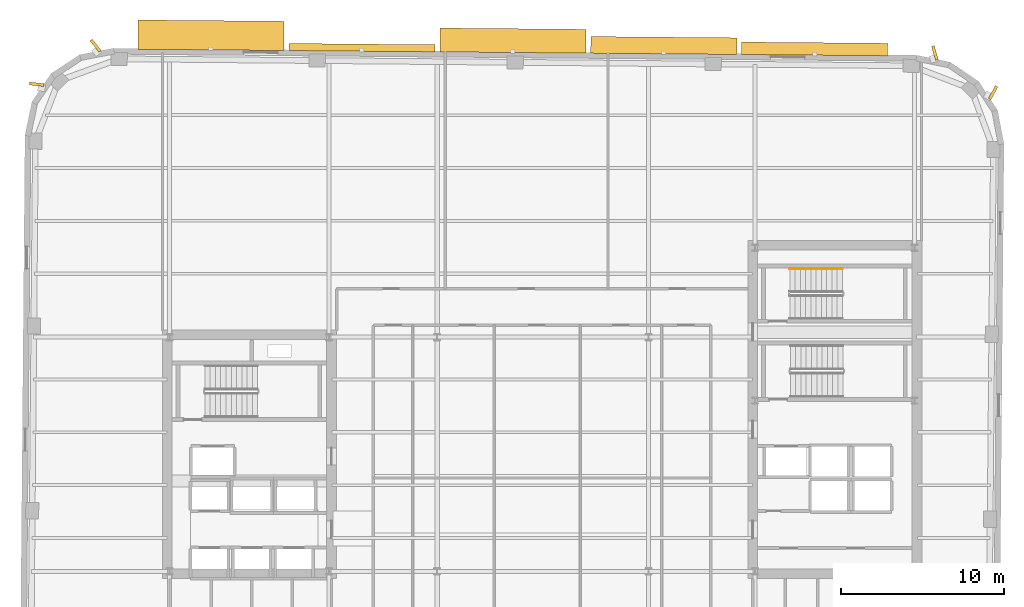
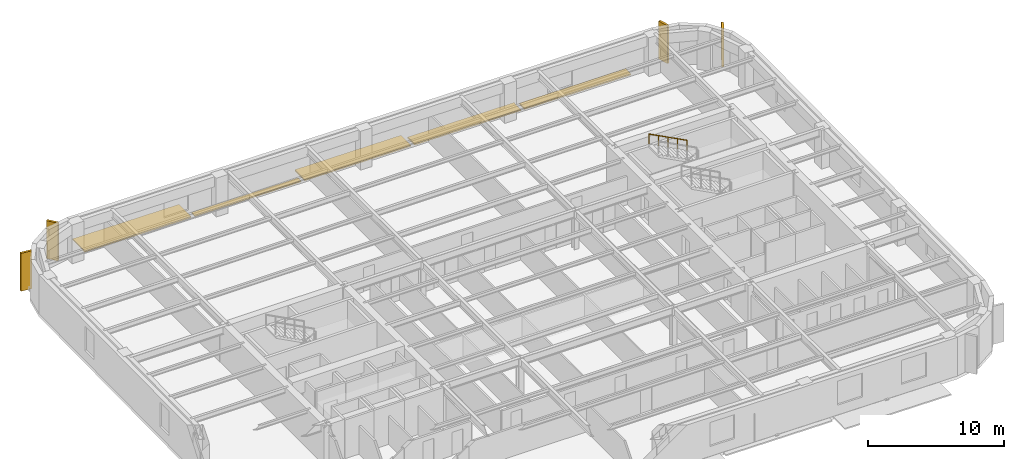
# One storey, part 12 of 12: 9 shading devices, 1 railing.
"""IFC4 building model written with IfcOpenShell, lengths in metres."""

import ifcopenshell
import ifcopenshell.guid

model = None  # the IFC model being written
_history = None  # IfcOwnerHistory: only IFC2X3 demands one
_inside = {}  # id of a spatial element -> (the spatial element, [elements in it])
_under = {}  # id of a project, library or spatial element -> (it, [spatial elements below it])
_declared = {}  # id of a project -> (the project, [libraries it declares])
_typed = {}  # id of a type object -> (the type object, [elements of that type])
_made_of = {}  # id of a material, layer set ... -> (it, [elements and type objects made of it])


def new_model(schema):
    """Start an empty IFC model of exactly this schema.

    Asked for "IFC4X3", IfcOpenShell would pick the latest addendum, in which some entities
    have other attributes; the version numbers below select the first issue.
    IFC2X3 requires an IfcOwnerHistory on every rooted entity: one is made here for all.
    """
    global model, _history
    if schema == "IFC4X3":
        model = ifcopenshell.file(schema_version=(4, 3, 0, 0))
    else:
        model = ifcopenshell.file(schema=schema)
    _inside.clear()
    _under.clear()
    _declared.clear()
    _typed.clear()
    _made_of.clear()
    _history = None
    if model.schema == "IFC2X3":
        org = make("IfcOrganization", Name="unknown")
        user = make(
            "IfcPersonAndOrganization",
            ThePerson=make("IfcPerson", FamilyName="unknown"),
            TheOrganization=org,
        )
        app = make(
            "IfcApplication",
            ApplicationDeveloper=org,
            Version="unknown",
            ApplicationFullName="unknown",
            ApplicationIdentifier="unknown",
        )
        _history = make(
            "IfcOwnerHistory",
            OwningUser=user,
            OwningApplication=app,
            ChangeAction="ADDED",
            CreationDate=0,
        )
    return model


def make(cls, **values):
    """One entity of the class cls with the attributes given. An attribute that is None is left unset."""
    return model.create_entity(
        cls, **{name: value for name, value in values.items() if value is not None}
    )


def rooted(cls, **values):
    """An entity with a GlobalId (a new one), such as an element, a storey or a relation."""
    return make(cls, GlobalId=ifcopenshell.guid.new(), OwnerHistory=_history, **values)


def si_unit(unit_type, name, prefix=None):
    """IfcSIUnit, for example si_unit("LENGTHUNIT", "METRE", prefix="MILLI")."""
    return make("IfcSIUnit", UnitType=unit_type, Prefix=prefix, Name=name)


def assignment(units):
    """IfcUnitAssignment: the units of a project."""
    return None if units is None else make("IfcUnitAssignment", Units=units)


def point(xyz):
    """IfcCartesianPoint."""
    return None if xyz is None else make("IfcCartesianPoint", Coordinates=xyz)


def direction(xyz):
    """IfcDirection."""
    return None if xyz is None else make("IfcDirection", DirectionRatios=xyz)


def frame(location, z_axis=None, x_axis=None):
    """IfcAxis2Placement3D, a coordinate frame: its origin and axes. An axis left out is left unset."""
    return make(
        "IfcAxis2Placement3D",
        Location=point(location),
        Axis=direction(z_axis),
        RefDirection=direction(x_axis),
    )


def frame_2d(location, x_axis=None):
    """IfcAxis2Placement2D, a coordinate frame in the plane: its origin and x axis."""
    return make(
        "IfcAxis2Placement2D", Location=point(location), RefDirection=direction(x_axis)
    )


def origin():
    """The frame at (0, 0, 0) with its axes left unset."""
    return frame((0.0, 0.0, 0.0))


def origin_2d():
    """The frame at (0, 0) in the plane with its x axis left unset."""
    return frame_2d((0.0, 0.0))


def place(relative_to, where):
    """IfcLocalPlacement: puts the frame where relative to a parent placement (None: the world)."""
    return make(
        "IfcLocalPlacement", PlacementRelTo=relative_to, RelativePlacement=where
    )


def context(
    kind, dimensions, precision=None, world=None, true_north=None, identifier=None
):
    """IfcGeometricRepresentationContext, for example the 3D "Model" context."""
    return make(
        "IfcGeometricRepresentationContext",
        ContextIdentifier=identifier,
        ContextType=kind,
        CoordinateSpaceDimension=dimensions,
        Precision=precision,
        WorldCoordinateSystem=world,
        TrueNorth=true_north,
    )


def subcontext(parent, identifier, kind, view, scale=None):
    """IfcGeometricRepresentationSubContext, for example "Body" below "Model"."""
    return make(
        "IfcGeometricRepresentationSubContext",
        ContextIdentifier=identifier,
        ContextType=kind,
        ParentContext=parent,
        TargetScale=scale,
        TargetView=view,
    )


def project(units=None, contexts=None):
    """IfcProject with its units and contexts."""
    return rooted(
        "IfcProject",
        Name="project",
        RepresentationContexts=contexts,
        UnitsInContext=assignment(units),
    )


def spatial(cls, under=None, at=None, **own):
    """A site, building, storey or space (cls), placed at a placement, below another one or the project."""
    s = rooted(cls, ObjectPlacement=at, **own)
    if under is not None:
        _under.setdefault(under.id(), (under, []))[1].append(s)
    return s


def profile(cls, at=None, kind="AREA", **sizes):
    """A parametric profile (cls). Its sizes go by their IFC names, for example OverallWidth=200.0."""
    return make(cls, ProfileType=kind, Position=at, **sizes)


def rectangle(**sizes):
    """IfcRectangleProfileDef."""
    return profile("IfcRectangleProfileDef", **sizes)


def circle(**sizes):
    """IfcCircleProfileDef."""
    return profile("IfcCircleProfileDef", **sizes)


def extrude(swept, where, along, depth):
    """IfcExtrudedAreaSolid: the profile swept, set in the frame where, extruded along a direction by depth."""
    return make(
        "IfcExtrudedAreaSolid",
        SweptArea=swept,
        Position=where,
        ExtrudedDirection=direction(along),
        Depth=depth,
    )


def shape(context_of_items, identifier, shape_type, items):
    """IfcShapeRepresentation: the items that make up one representation, for example the "Body"."""
    return make(
        "IfcShapeRepresentation",
        ContextOfItems=context_of_items,
        RepresentationIdentifier=identifier,
        RepresentationType=shape_type,
        Items=items,
    )


def material(Name=None, Category=None):
    """IfcMaterial."""
    return make("IfcMaterial", Name=Name, Category=Category)


def made_of(thing, what):
    """Note that an element or type object is made of a material, layer set ...; save() writes the relation."""
    if what is not None:
        _made_of.setdefault(what.id(), (what, []))[1].append(thing)
    return thing


def type_object(cls, material=None, **own):
    """A type object (cls), such as IfcWallType, which elements share."""
    return made_of(rooted(cls, **own), material)


def element(
    cls,
    number,
    at=None,
    inside=None,
    cuts=None,
    type_object=None,
    material=None,
    context=None,
    identifier="Body",
    shape_type=None,
    held_by="IfcProductDefinitionShape",
    body=None,
    shapes=None,
    **own,
):
    """One element of the class cls, such as IfcWall. Its Tag is "e" and its number.

    at: its placement. inside: the storey or other place that contains it. cuts: it is an
    opening in that element (IfcRelVoidsElement). A single representation is given by context,
    identifier, shape_type and body (its items); several are given by shapes. held_by: the class
    of the entity that holds the representations. save() writes the other relations.
    """
    e = rooted(cls, Tag="e%d" % number, ObjectPlacement=at, **own)
    if body is not None:
        shapes = [shape(context, identifier, shape_type, body)]
    if shapes is not None:
        e.Representation = make(held_by, Representations=shapes)
    if inside is not None:
        _inside.setdefault(inside.id(), (inside, []))[1].append(e)
    if cuts is not None:
        rooted(
            "IfcRelVoidsElement", RelatingBuildingElement=cuts, RelatedOpeningElement=e
        )
    if type_object is not None:
        _typed.setdefault(type_object.id(), (type_object, []))[1].append(e)
    return made_of(e, material)


def aggregate(whole, parts):
    """IfcRelAggregates: a whole, such as a stair, and the parts it consists of."""
    return rooted("IfcRelAggregates", RelatingObject=whole, RelatedObjects=parts)


def save(model, path):
    """Write the relations noted so far, then the file.

    IfcRelAggregates (storeys below a building ...), IfcRelContainedInSpatialStructure (elements
    in a storey), IfcRelDefinesByType, IfcRelAssociatesMaterial and IfcRelDeclares: one each for
    every whole, place, type object, material and project.
    """
    for whole, parts in _under.values():
        aggregate(whole, parts)
    for where, things in _inside.values():
        rooted(
            "IfcRelContainedInSpatialStructure",
            RelatedElements=things,
            RelatingStructure=where,
        )
    for kind, things in _typed.values():
        rooted("IfcRelDefinesByType", RelatedObjects=things, RelatingType=kind)
    for what, things in _made_of.values():
        rooted("IfcRelAssociatesMaterial", RelatedObjects=things, RelatingMaterial=what)
    for by, libraries in _declared.values():
        rooted("IfcRelDeclares", RelatingContext=by, RelatedDefinitions=libraries)
    model.write(path)


model = new_model("IFC4")

# Units and contexts
model_context = context("Model", 3, precision=1e-05, world=origin(), true_north=direction((0.0, 1.0)))
body_context = subcontext(model_context, "Body", "Model", "MODEL_VIEW")
ifc_project = project(units=[si_unit("LENGTHUNIT", "METRE"), si_unit("AREAUNIT", "SQUARE_METRE"), si_unit("VOLUMEUNIT", "CUBIC_METRE"), si_unit("PLANEANGLEUNIT", "RADIAN"), si_unit("MASSUNIT", "GRAM", prefix="KILO")], contexts=[model_context])

# Site, building, storey
site_placement = place(None, origin())
site = spatial("IfcSite", under=ifc_project, at=site_placement, CompositionType="ELEMENT")
building_placement = place(site_placement, origin())
building = spatial("IfcBuilding", under=site, at=building_placement, Name="Kolvaren Arena Tower", CompositionType="ELEMENT")
storey_placement = place(building_placement, frame((0.0, 0.0, 165.949951171875)))
storey = spatial("IfcBuildingStorey", under=building, at=storey_placement, Name="L39", CompositionType="ELEMENT", Elevation=165.949951171875)

# Railing
ifc_material_1 = material(Name="Brushed stainless steel handrail", Category="steel")
railing_type = type_object("IfcRailingType", Name="HRAIL-900", PredefinedType="HANDRAIL", material=ifc_material_1)
railing_placement = place(storey_placement, frame((55.919921875, 38.050048828125, 2.04541015625)))
element("IfcRailing", 1, at=railing_placement, inside=storey, type_object=railing_type, Name="L39 ST-E2 stair handrail 2", PredefinedType="HANDRAIL", context=body_context, shape_type="SweptSolid", body=[
    extrude(circle(Radius=0.02392578125, at=origin_2d()), frame((0.0, 0.0, 0.8759765625), z_axis=(-0.884993431791, 0.0, 0.465603506952), x_axis=(0.0, -1.0, 0.0)), (0.0, 0.0, 1.0), 3.6611328125),
    extrude(circle(Radius=0.02099609375, at=origin_2d()), origin(), (0.0, 0.0, 1.0), 0.851806640625),
    extrude(circle(Radius=0.02099609375, at=origin_2d()), frame((-0.81005859375, 0.0, 0.42626953125)), (0.0, 0.0, 1.0), 0.851806640625),
    extrude(circle(Radius=0.02099609375, at=origin_2d()), frame((-1.6201171875, 0.0, 0.852294921875)), (0.0, 0.0, 1.0), 0.851806640625),
    extrude(circle(Radius=0.02099609375, at=origin_2d()), frame((-2.429931640625, 0.0, 1.2783203125)), (0.0, 0.0, 1.0), 0.851806640625),
    extrude(circle(Radius=0.02099609375, at=origin_2d()), frame((-3.239990234375, 0.0, 1.70458984375)), (0.0, 0.0, 1.0), 0.851806640625),
])

# Shading devices
ifc_material_2 = material(Name="Precast architectural concrete C50/60 rib fin", Category="concrete")
shading_device_type_1 = type_object("IfcShadingDeviceType", Name="SHAD-FIN-28", PredefinedType="USERDEFINED", material=ifc_material_2)
for number, where, z_axis, x_axis, name in (
    (2, (65.18115234375, 48.885009765625, 0.02001953125), (0.0, 0.0, 1.0), (0.480994889615, 0.876723397751, 0.0), "Precast 28-Deg Corner Rib Fin (L39)"),
    (3, (61.602783203125, 51.321533203125, 0.02001953125), (0.0, 0.0, 1.0), (-0.279812257957, 0.960054738177, 0.0), "Precast 28-Deg Corner Rib Fin (L39)"),
    (4, (9.997802734375, 51.77197265625, 0.02001953125), (0.0, 0.0, 1.0), (-0.625923472184, 0.779884483093, 0.0), "Precast 28-Deg Corner Rib Fin (L39)"),
    (5, (6.37744140625, 49.398193359375, 0.02001953125), (0.0, 0.0, 1.0), (-0.994056908234, 0.108861669984, 0.0), "Precast 28-Deg Corner Rib Fin (L39)"),
):
    element("IfcShadingDevice", number, at=place(storey_placement, frame(where, z_axis=z_axis, x_axis=x_axis)), inside=storey, type_object=shading_device_type_1, Name=name, ObjectType="FIN", PredefinedType="USERDEFINED", context=body_context, shape_type="SweptSolid", body=[
        extrude(rectangle(XDim=0.89990234375, YDim=0.179931640625, at=origin_2d()), origin(), (0.0, 0.0, 1.0), 3.39990234375),
    ])
ifc_material_3 = material(Name="Architectural precast GFRC and anodised aluminium sunshade", Category="concrete")
shading_device_type_2 = type_object("IfcShadingDeviceType", Name="SHAD-SINE-A", PredefinedType="USERDEFINED", material=ifc_material_3)
shading_device_1_placement = place(storey_placement, frame((26.370849609375, 51.650634765625, -0.139892578125), z_axis=(0.0, 0.0, 1.0), x_axis=(0.999961923064, -0.008726535498, 0.0)))
element("IfcShadingDevice", 6, at=shading_device_1_placement, inside=storey, type_object=shading_device_type_2, Name="Sinusoidal Slab-Edge Sunshade Louvre (L39)", ObjectType="LOUVRE", PredefinedType="USERDEFINED", context=body_context, shape_type="SweptSolid", body=[
    extrude(rectangle(XDim=8.97998046875, YDim=0.438232421875, at=origin_2d()), origin(), (0.0, 0.0, 1.0), 0.1201171875),
])
shading_device_2_placement = place(storey_placement, frame((44.9326171875, 51.78271484375, -0.139892578125), z_axis=(0.0, 0.0, 1.0), x_axis=(0.999961923064, -0.008726535498, 0.0)))
element("IfcShadingDevice", 7, at=shading_device_2_placement, inside=storey, type_object=shading_device_type_2, Name="Sinusoidal Slab-Edge Sunshade Louvre (L39)", ObjectType="LOUVRE", PredefinedType="USERDEFINED", context=body_context, shape_type="SweptSolid", body=[
    extrude(rectangle(XDim=8.97998046875, YDim=1.026611328125, at=origin_2d()), origin(), (0.0, 0.0, 1.0), 0.1201171875),
])
shading_device_3_placement = place(storey_placement, frame((54.211181640625, 51.572998046875, -0.139892578125), z_axis=(0.0, 0.0, 1.0), x_axis=(0.999961923064, -0.008726535498, 0.0)))
element("IfcShadingDevice", 8, at=shading_device_3_placement, inside=storey, type_object=shading_device_type_2, Name="Sinusoidal Slab-Edge Sunshade Louvre (L39)", ObjectType="LOUVRE", PredefinedType="USERDEFINED", context=body_context, shape_type="SweptSolid", body=[
    extrude(rectangle(XDim=8.97998046875, YDim=0.768798828125, at=origin_2d()), origin(), (0.0, 0.0, 1.0), 0.1201171875),
])
shading_device_type_3 = type_object("IfcShadingDeviceType", Name="SHAD-SINE-B", PredefinedType="JALOUSIE", material=ifc_material_3)
shading_device_4_placement = place(storey_placement, frame((17.09716796875, 52.412353515625, -0.139892578125), z_axis=(0.0, 0.0, 1.0), x_axis=(0.999961923064, -0.008726535498, 0.0)))
element("IfcShadingDevice", 9, at=shading_device_4_placement, inside=storey, type_object=shading_device_type_3, Name="Sinusoidal Slab-Edge Sunshade Louvre (L39)", PredefinedType="JALOUSIE", context=body_context, shape_type="SweptSolid", body=[
    extrude(rectangle(XDim=8.97998046875, YDim=1.800048828125, at=origin_2d()), origin(), (0.0, 0.0, 1.0), 0.1201171875),
])
shading_device_5_placement = place(storey_placement, frame((35.65478515625, 52.08349609375, -0.139892578125), z_axis=(0.0, 0.0, 1.0), x_axis=(0.999961923064, -0.008726535498, 0.0)))
element("IfcShadingDevice", 10, at=shading_device_5_placement, inside=storey, type_object=shading_device_type_3, Name="Sinusoidal Slab-Edge Sunshade Louvre (L39)", PredefinedType="JALOUSIE", context=body_context, shape_type="SweptSolid", body=[
    extrude(rectangle(XDim=8.97998046875, YDim=1.4658203125, at=origin_2d()), origin(), (0.0, 0.0, 1.0), 0.1201171875),
])

save(model, "model.ifc")
